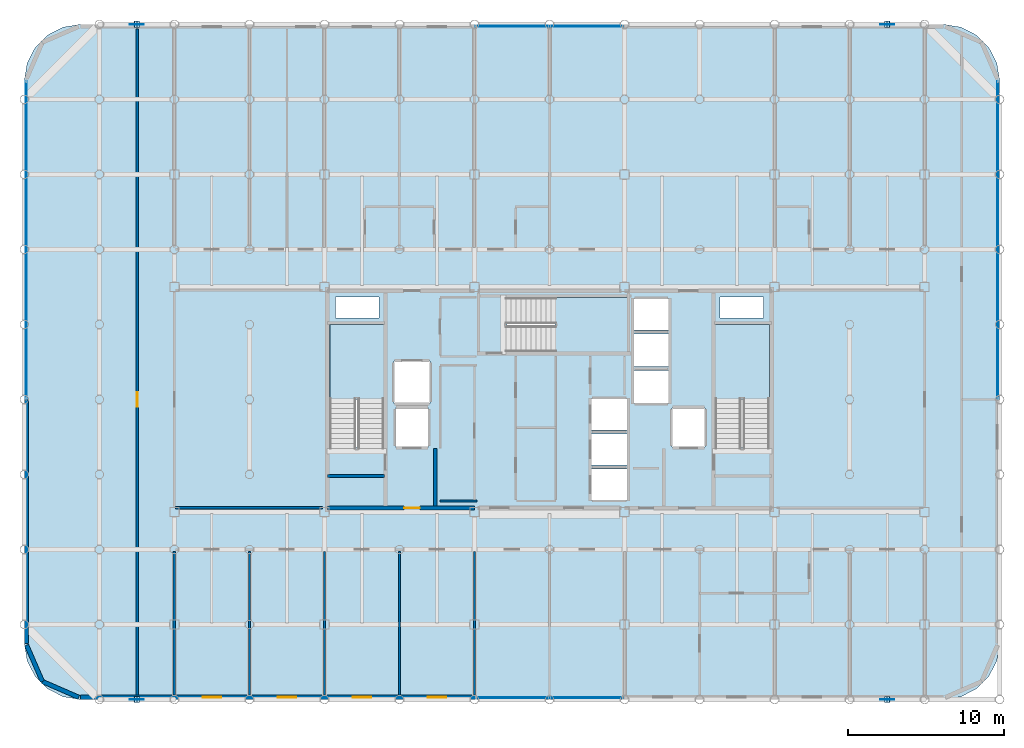
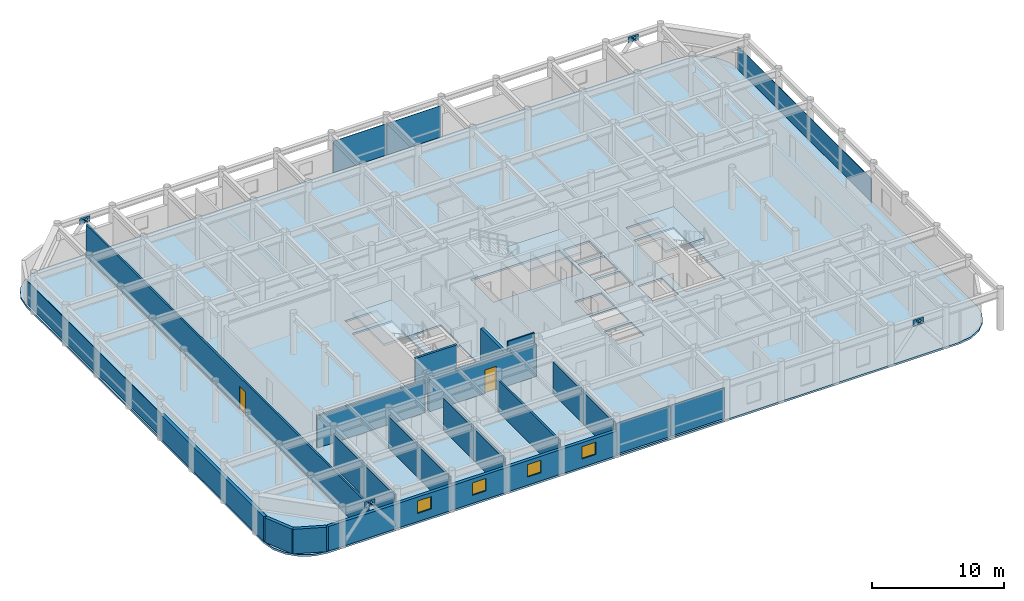
# One storey, part 17 of 22: 18 plates, 15 walls, 4 slabs, 4 windows, 2 doors, 6 openings, 7 elements without a shape of their own.
"""IFC4 building model written with IfcOpenShell, lengths in metres."""

from ifc_helpers import new_model, si_unit, direction, frame, frame_2d, origin, origin_2d, place, context, subcontext, project, spatial, polyline, rectangle, outline, extrude, material, layer, layer_set, type_object, element, fill, aggregate, save


model = new_model("IFC4")

# Units and contexts
model_context = context("Model", 3, precision=1e-05, world=origin(), true_north=direction((0.0, 1.0)))
body_context = subcontext(model_context, "Body", "Model", "MODEL_VIEW")
ifc_project = project(units=[si_unit("LENGTHUNIT", "METRE"), si_unit("AREAUNIT", "SQUARE_METRE"), si_unit("VOLUMEUNIT", "CUBIC_METRE"), si_unit("PLANEANGLEUNIT", "RADIAN"), si_unit("MASSUNIT", "GRAM", prefix="KILO")], contexts=[model_context])

# Site, building, storey
site_placement = place(None, origin())
site = spatial("IfcSite", under=ifc_project, at=site_placement, CompositionType="ELEMENT")
building_placement = place(site_placement, origin())
building = spatial("IfcBuilding", under=site, at=building_placement, Name="Kallvorn Hotel Tower", CompositionType="ELEMENT")
storey_placement = place(building_placement, frame((0.0, 0.0, 256.949951171875)))
storey = spatial("IfcBuildingStorey", under=building, at=storey_placement, Name="L64", CompositionType="ELEMENT", Elevation=256.949951171875)

# Curtain wall, plates
ifc_material_1 = material(Name="Thermally broken black-anodised aluminium AA 6063-T6", Category="aluminium")
ifc_layer_1 = layer(ifc_material_1, 0.22998046875)
ifc_layer_set_1 = layer_set([ifc_layer_1], Name="CW_SYS_5_HOTEL_HIGH")
curtain_wall_type = type_object("IfcCurtainWallType", Name="CW_SYS_5_HOTEL_HIGH", PredefinedType="USERDEFINED", material=ifc_layer_set_1)
curtain_wall_1_placement = place(storey_placement, origin())
curtain_wall_1 = element("IfcCurtainWall", 1, at=curtain_wall_1_placement, inside=storey, type_object=curtain_wall_type, Name="L64 Dark-Glass Curtain Wall CW-L64-SC", ObjectType="UNITISED CURTAIN WALL", PredefinedType="USERDEFINED")
ifc_material_2 = material(Name="Triple-glazed low-e acoustic solar-control dark glass", Category="glass")
ifc_layer_2 = layer(ifc_material_2, 0.04150390625)
ifc_layer_set_2 = layer_set([ifc_layer_2], Name="CW_SYS_5_HOTEL_HIGH_PANEL")
plate_type_1 = type_object("IfcPlateType", Name="CW_SYS_5_HOTEL_HIGH_PANEL", PredefinedType="CURTAIN_PANEL", material=ifc_layer_set_2)
plate_1_placement = place(storey_placement, frame((-2.375, -19.080078125, 0.06005859375), z_axis=(0.0, 0.0, 1.0), x_axis=(1.0, 0.0, 0.0)))
plate_1 = element("IfcPlate", 2, at=plate_1_placement, type_object=plate_type_1, Name="CW-L64-SC Vision Glass Panel 00", PredefinedType="CURTAIN_PANEL", context=body_context, shape_type="SweptSolid", body=[
    extrude(rectangle(XDim=4.68994140625, YDim=0.04150390625, at=origin_2d()), origin(), (0.0, 0.0, 1.0), 2.85009765625),
])
plate_2_placement = place(storey_placement, frame((2.375, -19.080078125, 0.06005859375), z_axis=(0.0, 0.0, 1.0), x_axis=(1.0, 0.0, 0.0)))
plate_2 = element("IfcPlate", 3, at=plate_2_placement, type_object=plate_type_1, Name="CW-L64-SC Vision Glass Panel 01", PredefinedType="CURTAIN_PANEL", context=body_context, shape_type="SweptSolid", body=[
    extrude(rectangle(XDim=4.68994140625, YDim=0.04150390625, at=origin_2d()), origin(), (0.0, 0.0, 1.0), 2.85009765625),
])
aggregate(curtain_wall_1, [plate_1, plate_2])

curtain_wall_2_placement = place(storey_placement, origin())
curtain_wall_2 = element("IfcCurtainWall", 4, at=curtain_wall_2_placement, inside=storey, type_object=curtain_wall_type, Name="L64 Dark-Glass Curtain Wall CW-L64-NC", ObjectType="UNITISED CURTAIN WALL", PredefinedType="USERDEFINED")
plate_3_placement = place(storey_placement, frame((-2.375, 23.8798828125, 0.06005859375), z_axis=(0.0, 0.0, 1.0), x_axis=(1.0, 0.0, 0.0)))
plate_3 = element("IfcPlate", 5, at=plate_3_placement, type_object=plate_type_1, Name="CW-L64-NC Vision Glass Panel 00", PredefinedType="CURTAIN_PANEL", context=body_context, shape_type="SweptSolid", body=[
    extrude(rectangle(XDim=4.68994140625, YDim=0.04150390625, at=origin_2d()), origin(), (0.0, 0.0, 1.0), 2.89990234375),
])
plate_4_placement = place(storey_placement, frame((2.375, 23.8798828125, 0.06005859375), z_axis=(0.0, 0.0, 1.0), x_axis=(1.0, 0.0, 0.0)))
plate_4 = element("IfcPlate", 6, at=plate_4_placement, type_object=plate_type_1, Name="CW-L64-NC Vision Glass Panel 01", PredefinedType="CURTAIN_PANEL", context=body_context, shape_type="SweptSolid", body=[
    extrude(rectangle(XDim=4.68994140625, YDim=0.04150390625, at=origin_2d()), origin(), (0.0, 0.0, 1.0), 2.89990234375),
])
aggregate(curtain_wall_2, [plate_3, plate_4])

# Curtain wall, plate
curtain_wall_3_placement = place(storey_placement, origin())
curtain_wall_3 = element("IfcCurtainWall", 7, at=curtain_wall_3_placement, inside=storey, type_object=curtain_wall_type, Name="L64 Dark-Glass Curtain Wall CW-L64-WN", ObjectType="UNITISED CURTAIN WALL", PredefinedType="USERDEFINED")
plate_5_placement = place(storey_placement, frame((-33.47998046875, 10.2099609375, 0.06005859375), z_axis=(0.0, 0.0, 1.0), x_axis=(0.0, 1.0, 0.0)))
plate_5 = element("IfcPlate", 8, at=plate_5_placement, type_object=plate_type_1, Name="CW-L64-WN Vision Glass Panel 00", PredefinedType="CURTAIN_PANEL", context=body_context, shape_type="SweptSolid", body=[
    extrude(rectangle(XDim=20.320068359375, YDim=0.04150390625, at=origin_2d()), origin(), (0.0, 0.0, 1.0), 2.14990234375),
])
aggregate(curtain_wall_3, [plate_5])

curtain_wall_4_placement = place(storey_placement, origin())
curtain_wall_4 = element("IfcCurtainWall", 9, at=curtain_wall_4_placement, inside=storey, type_object=curtain_wall_type, Name="L64 Dark-Glass Curtain Wall CW-L64-EN", ObjectType="UNITISED CURTAIN WALL", PredefinedType="USERDEFINED")
plate_6_placement = place(storey_placement, frame((28.679931640625, 10.2099609375, 0.06005859375), z_axis=(0.0, 0.0, 1.0), x_axis=(0.0, 1.0, 0.0)))
plate_6 = element("IfcPlate", 10, at=plate_6_placement, type_object=plate_type_1, Name="CW-L64-EN Vision Glass Panel 00", PredefinedType="CURTAIN_PANEL", context=body_context, shape_type="SweptSolid", body=[
    extrude(rectangle(XDim=20.320068359375, YDim=0.04150390625, at=origin_2d()), origin(), (0.0, 0.0, 1.0), 2.14990234375),
])
aggregate(curtain_wall_4, [plate_6])

# Plates
ifc_material_3 = material(Name="Structural steel S355JR", Category="steel")
ifc_layer_3 = layer(ifc_material_3, 0.030029296875)
ifc_layer_set_3 = layer_set([ifc_layer_3], Name="PLT_CAP_30")
plate_type_2 = type_object("IfcPlateType", Name="PLT_CAP_30", PredefinedType="SHEET", material=ifc_layer_set_3)
plate_7_placement = place(storey_placement, frame((-26.235595703125, -19.40185546875, 3.092529296875), z_axis=(0.621074629096, 0.0, 0.78375143068), x_axis=(0.0, 1.0, 0.0)))
element("IfcPlate", 11, at=plate_7_placement, inside=storey, type_object=plate_type_2, Name="EXO-L64-S1A End Cap Plate B", PredefinedType="SHEET", context=body_context, shape_type="SweptSolid", body=[
    extrude(outline(polyline([(0.0, 0.0), (0.40380859375, 0.0), (0.40380859375, 0.4037073970320156), (0.0, 0.4037073970320156), (0.0, 0.0)])), origin(), (0.0, 0.0, -1.0), 0.030029296875),
])
plate_8_placement = place(storey_placement, frame((-26.564453125, -18.998046875, 3.092529296875), z_axis=(-0.620780353498, 0.0, 0.783984536015), x_axis=(0.0, -1.0, 0.0)))
element("IfcPlate", 12, at=plate_8_placement, inside=storey, type_object=plate_type_2, Name="EXO-L64-S1B End Cap Plate B", PredefinedType="SHEET", context=body_context, shape_type="SweptSolid", body=[
    extrude(outline(polyline([(0.0, 0.0), (0.40380859375, 0.0), (0.40380859375, 0.40389877105813043), (0.0, 0.40389877105813043), (0.0, 0.0)])), origin(), (0.0, 0.0, -1.0), 0.030029296875),
])
plate_9_placement = place(storey_placement, frame((21.764404296875, -19.40185546875, 3.092529296875), z_axis=(0.621074629096, 0.0, 0.78375143068), x_axis=(0.0, 1.0, 0.0)))
element("IfcPlate", 13, at=plate_9_placement, inside=storey, type_object=plate_type_2, Name="EXO-L64-S2A End Cap Plate B", PredefinedType="SHEET", context=body_context, shape_type="SweptSolid", body=[
    extrude(outline(polyline([(0.0, 0.0), (0.40380859375, 0.0), (0.40380859375, 0.4037073970320156), (0.0, 0.4037073970320156), (0.0, 0.0)])), origin(), (0.0, 0.0, -1.0), 0.030029296875),
])
plate_10_placement = place(storey_placement, frame((21.435546875, -18.998046875, 3.092529296875), z_axis=(-0.620780353498, 0.0, 0.783984536015), x_axis=(0.0, -1.0, 0.0)))
element("IfcPlate", 14, at=plate_10_placement, inside=storey, type_object=plate_type_2, Name="EXO-L64-S2B End Cap Plate B", PredefinedType="SHEET", context=body_context, shape_type="SweptSolid", body=[
    extrude(outline(polyline([(0.0, 0.0), (0.40380859375, 0.0), (0.40380859375, 0.40389877105813043), (0.0, 0.40389877105813043), (0.0, 0.0)])), origin(), (0.0, 0.0, -1.0), 0.030029296875),
])
plate_11_placement = place(storey_placement, frame((-26.235595703125, 23.798095703125, 3.092529296875), z_axis=(0.621074629096, 0.0, 0.78375143068), x_axis=(0.0, 1.0, 0.0)))
element("IfcPlate", 15, at=plate_11_placement, inside=storey, type_object=plate_type_2, Name="EXO-L64-N1A End Cap Plate B", PredefinedType="SHEET", context=body_context, shape_type="SweptSolid", body=[
    extrude(outline(polyline([(0.0, 0.0), (0.40380859375, 0.0), (0.40380859375, 0.4037073970320156), (0.0, 0.4037073970320156), (0.0, 0.0)])), origin(), (0.0, 0.0, -1.0), 0.030029296875),
])
plate_12_placement = place(storey_placement, frame((-26.564453125, 24.201904296875, 3.092529296875), z_axis=(-0.620780353498, 0.0, 0.783984536015), x_axis=(0.0, -1.0, 0.0)))
element("IfcPlate", 16, at=plate_12_placement, inside=storey, type_object=plate_type_2, Name="EXO-L64-N1B End Cap Plate B", PredefinedType="SHEET", context=body_context, shape_type="SweptSolid", body=[
    extrude(outline(polyline([(0.0, 0.0), (0.40380859375, 0.0), (0.40380859375, 0.40389877105813043), (0.0, 0.40389877105813043), (0.0, 0.0)])), origin(), (0.0, 0.0, -1.0), 0.030029296875),
])
plate_13_placement = place(storey_placement, frame((21.764404296875, 23.798095703125, 3.092529296875), z_axis=(0.621074629096, 0.0, 0.78375143068), x_axis=(0.0, 1.0, 0.0)))
element("IfcPlate", 17, at=plate_13_placement, inside=storey, type_object=plate_type_2, Name="EXO-L64-N2A End Cap Plate B", PredefinedType="SHEET", context=body_context, shape_type="SweptSolid", body=[
    extrude(outline(polyline([(0.0, 0.0), (0.40380859375, 0.0), (0.40380859375, 0.4037073970320156), (0.0, 0.4037073970320156), (0.0, 0.0)])), origin(), (0.0, 0.0, -1.0), 0.030029296875),
])
plate_14_placement = place(storey_placement, frame((21.435546875, 24.201904296875, 3.092529296875), z_axis=(-0.620780353498, 0.0, 0.783984536015), x_axis=(0.0, -1.0, 0.0)))
element("IfcPlate", 18, at=plate_14_placement, inside=storey, type_object=plate_type_2, Name="EXO-L64-N2B End Cap Plate B", PredefinedType="SHEET", context=body_context, shape_type="SweptSolid", body=[
    extrude(outline(polyline([(0.0, 0.0), (0.40380859375, 0.0), (0.40380859375, 0.40389877105813043), (0.0, 0.40389877105813043), (0.0, 0.0)])), origin(), (0.0, 0.0, -1.0), 0.030029296875),
])
ifc_material_4 = material(Name="Structural steel S355JR", Category="steel")
ifc_layer_4 = layer(ifc_material_4, 0.034912109375)
ifc_layer_set_4 = layer_set([ifc_layer_4], Name="PLT_GUSSET_35")
plate_type_3 = type_object("IfcPlateType", Name="PLT_GUSSET_35", PredefinedType="USERDEFINED", material=ifc_layer_set_4)
for number, where, z_axis, x_axis, name in (
    (19, (-26.39990234375, -19.199951171875, 2.89013671875), (0.0, 0.0, 1.0), (1.0, 0.0, 0.0), "L64 Exoskeleton Node Gusset S1"),
    (20, (21.60009765625, -19.199951171875, 2.89013671875), (0.0, 0.0, 1.0), (1.0, 0.0, 0.0), "L64 Exoskeleton Node Gusset S2"),
    (21, (-26.39990234375, 24.0, 2.89013671875), (0.0, 0.0, 1.0), (1.0, 0.0, 0.0), "L64 Exoskeleton Node Gusset N1"),
    (22, (21.60009765625, 24.0, 2.89013671875), (0.0, 0.0, 1.0), (1.0, 0.0, 0.0), "L64 Exoskeleton Node Gusset N2"),
):
    element("IfcPlate", number, at=place(storey_placement, frame(where, z_axis=z_axis, x_axis=x_axis)), inside=storey, type_object=plate_type_3, Name=name, ObjectType="GUSSET PLATE", PredefinedType="USERDEFINED", context=body_context, shape_type="SweptSolid", body=[
        extrude(rectangle(XDim=0.89990234375, YDim=0.034912109375, at=origin_2d()), origin(), (0.0, 0.0, 1.0), 0.56005859375),
    ])

# Stair, slab
ifc_material_5 = material(Name="Precast concrete C40/50", Category="concrete")
stair_type = type_object("IfcStairType", Name="STR_CORE_DOGLEG", PredefinedType="HALF_TURN_STAIR", material=ifc_material_5)
stair_1_placement = place(storey_placement, origin())
stair_1 = element("IfcStair", 23, at=stair_1_placement, inside=storey, type_object=stair_type, Name="L64 Exit stair ST1", PredefinedType="HALF_TURN_STAIR")
ifc_material_6 = material(Name="Precast concrete C40/50", Category="concrete")
ifc_layer_5 = layer(ifc_material_6, 0.179931640625)
ifc_layer_set_5 = layer_set([ifc_layer_5], Name="SLB_LANDING_180")
slab_type_1 = type_object("IfcSlabType", Name="SLB_LANDING_180", PredefinedType="LANDING", material=ifc_layer_set_5)
slab_1_placement = place(storey_placement, frame((0.0, 0.0, 1.72509765625)))
slab_1 = element("IfcSlab", 24, at=slab_1_placement, type_object=slab_type_1, Name="ST1 landing 1", PredefinedType="LANDING", context=body_context, shape_type="SweptSolid", body=[
    extrude(outline(polyline([(-10.60009765625, 0.010009765625), (-10.60009765625, 4.800048828125), (-14.06005859375, 4.800048828125), (-14.06005859375, 0.010009765625), (-10.60009765625, 0.010009765625)])), origin(), (0.0, 0.0, 1.0), 0.199951171875),
])
aggregate(stair_1, [slab_1])

stair_2_placement = place(storey_placement, origin())
stair_2 = element("IfcStair", 25, at=stair_2_placement, inside=storey, type_object=stair_type, Name="L64 Exit stair ST2", PredefinedType="HALF_TURN_STAIR")
slab_2_placement = place(storey_placement, frame((0.0, 0.0, 1.72509765625)))
slab_2 = element("IfcSlab", 26, at=slab_2_placement, type_object=slab_type_1, Name="ST2 landing 1", PredefinedType="LANDING", context=body_context, shape_type="SweptSolid", body=[
    extrude(outline(polyline([(14.06005859375, 0.010009765625), (14.06005859375, 4.800048828125), (10.60009765625, 4.800048828125), (10.60009765625, 0.010009765625), (14.06005859375, 0.010009765625)])), origin(), (0.0, 0.0, 1.0), 0.199951171875),
])
aggregate(stair_2, [slab_2])

stair_3_placement = place(storey_placement, origin())
stair_3 = element("IfcStair", 27, at=stair_3_placement, inside=storey, type_object=stair_type, Name="L64 Exit stair ST3", PredefinedType="HALF_TURN_STAIR")
slab_3_placement = place(storey_placement, frame((0.0, 0.0, 1.72509765625)))
slab_3 = element("IfcSlab", 28, at=slab_3_placement, type_object=slab_type_1, Name="ST3 landing 1", PredefinedType="LANDING", context=body_context, shape_type="SweptSolid", body=[
    extrude(outline(polyline([(0.360107421875, 3.050048828125), (5.050048828125, 3.050048828125), (5.050048828125, 6.510009765625), (0.360107421875, 6.510009765625), (0.360107421875, 3.050048828125)])), origin(), (0.0, 0.0, 1.0), 0.199951171875),
])
aggregate(stair_3, [slab_3])

# Slab
ifc_material_7 = material(Name="Concrete C40/50", Category="concrete")
ifc_layer_6 = layer(ifc_material_7, 0.179931640625)
ifc_layer_set_6 = layer_set([ifc_layer_6], Name="SLB_TOWER_180")
slab_type_2 = type_object("IfcSlabType", Name="SLB_TOWER_180", PredefinedType="FLOOR", material=ifc_layer_set_6)
slab_4_placement = place(storey_placement, frame((0.0, 0.0, -0.179931640625)))
element("IfcSlab", 29, at=slab_4_placement, inside=storey, type_object=slab_type_2, Name="L64 Structural Floor Slab", PredefinedType="FLOOR", context=body_context, shape_type="SweptSolid", body=[
    extrude(outline(polyline([(25.199951171875, -19.199951171875), (26.3125, -19.023681640625), (27.31591796875, -18.512451171875), (28.112548828125, -17.716064453125), (28.623779296875, -16.71240234375), (28.800048828125, -15.60009765625), (28.800048828125, 20.39990234375), (28.623779296875, 21.512451171875), (28.112548828125, 22.51611328125), (27.31591796875, 23.3125), (26.3125, 23.82373046875), (25.199951171875, 24.0), (-30.0, 24.0), (-31.112548828125, 23.82373046875), (-32.115966796875, 23.3125), (-32.91259765625, 22.51611328125), (-33.423828125, 21.512451171875), (-33.60009765625, 20.39990234375), (-33.60009765625, -15.60009765625), (-33.423828125, -16.71240234375), (-32.91259765625, -17.716064453125), (-32.115966796875, -18.512451171875), (-31.112548828125, -19.023681640625), (-30.0, -19.199951171875), (25.199951171875, -19.199951171875)]), holes=[polyline([(-10.60009765625, -3.070068359375), (-10.60009765625, 4.800048828125), (-14.06005859375, 4.800048828125), (-14.06005859375, -3.070068359375), (-10.60009765625, -3.070068359375)]), polyline([(14.06005859375, -3.070068359375), (14.06005859375, 4.800048828125), (10.60009765625, 4.800048828125), (10.60009765625, -3.070068359375), (14.06005859375, -3.070068359375)]), polyline([(-2.719970703125, 3.050048828125), (5.050048828125, 3.050048828125), (5.050048828125, 6.510009765625), (-2.719970703125, 6.510009765625), (-2.719970703125, 3.050048828125)]), polyline([(2.64990234375, -6.449951171875), (5.0, -6.449951171875), (5.0, -4.449951171875), (2.64990234375, -4.449951171875), (2.64990234375, -6.449951171875)]), polyline([(2.64990234375, -4.199951171875), (5.0, -4.199951171875), (5.0, -2.199951171875), (2.64990234375, -2.199951171875), (2.64990234375, -4.199951171875)]), polyline([(2.64990234375, -1.949951171875), (5.0, -1.949951171875), (5.0, 0.050048828125), (2.64990234375, 0.050048828125), (2.64990234375, -1.949951171875)]), polyline([(5.35009765625, -0.25), (7.64990234375, -0.25), (7.64990234375, 1.85009765625), (5.35009765625, 1.85009765625), (5.35009765625, -0.25)]), polyline([(5.35009765625, 2.10009765625), (7.64990234375, 2.10009765625), (7.64990234375, 4.199951171875), (5.35009765625, 4.199951171875), (5.35009765625, 2.10009765625)]), polyline([(5.35009765625, 4.449951171875), (7.64990234375, 4.449951171875), (7.64990234375, 6.449951171875), (5.35009765625, 6.449951171875), (5.35009765625, 4.449951171875)]), polyline([(-9.85009765625, -3.050048828125), (-7.75, -3.050048828125), (-7.75, -0.550048828125), (-9.85009765625, -0.550048828125), (-9.85009765625, -3.050048828125)]), polyline([(7.85009765625, -3.050048828125), (9.949951171875, -3.050048828125), (9.949951171875, -0.550048828125), (7.85009765625, -0.550048828125), (7.85009765625, -3.050048828125)]), polyline([(-9.949951171875, -0.25), (-7.64990234375, -0.25), (-7.64990234375, 2.449951171875), (-9.949951171875, 2.449951171875), (-9.949951171875, -0.25)]), polyline([(-13.699951171875, 5.199951171875), (-10.89990234375, 5.199951171875), (-10.89990234375, 6.550048828125), (-13.699951171875, 6.550048828125), (-13.699951171875, 5.199951171875)]), polyline([(10.89990234375, 5.199951171875), (13.699951171875, 5.199951171875), (13.699951171875, 6.550048828125), (10.89990234375, 6.550048828125), (10.89990234375, 5.199951171875)])]), origin(), (0.0, 0.0, 1.0), 0.179931640625),
])

# Walls
ifc_material_8 = material(Name="Precast basalt-clad insulated concrete wall C40/50", Category="masonry")
ifc_layer_7 = layer(ifc_material_8, 0.280029296875)
ifc_layer_set_7 = layer_set([ifc_layer_7], Name="WL_EXT_LOGGIA_280")
wall_type_1 = type_object("IfcWallType", Name="WL_EXT_LOGGIA_280", PredefinedType="SOLIDWALL", material=ifc_layer_set_7)
wall_1_placement = place(storey_placement, frame((-33.4580078125, -15.720703125, 0.0), z_axis=(0.0, 0.0, 1.0), x_axis=(0.398792985289, -0.917040977756, 0.0)))
element("IfcWall", 30, at=wall_1_placement, inside=storey, type_object=wall_type_1, Name="L64 Rounded Corner Exterior Wall SW1", PredefinedType="SOLIDWALL", context=body_context, shape_type="SweptSolid", body=[
    extrude(rectangle(XDim=2.536376953125, YDim=0.280029296875, at=frame_2d((1.26806640625, 0.0))), origin(), (0.0, 0.0, 1.0), 2.27001953125),
])
wall_2_placement = place(storey_placement, frame((-32.446533203125, -18.046630859375, 0.0), z_axis=(0.0, 0.0, 1.0), x_axis=(0.917060872934, -0.398747232384, 0.0)))
element("IfcWall", 31, at=wall_2_placement, inside=storey, type_object=wall_type_1, Name="L64 Rounded Corner Exterior Wall SW2", PredefinedType="SOLIDWALL", context=body_context, shape_type="SweptSolid", body=[
    extrude(rectangle(XDim=2.5361328125, YDim=0.280029296875, at=frame_2d((1.26806640625, 0.0))), origin(), (0.0, 0.0, 1.0), 2.27001953125),
])

# Wall, openings, windows
wall_3_placement = place(storey_placement, frame((-30.0, -19.06005859375, 0.0), z_axis=(0.0, 0.0, 1.0), x_axis=(1.0, 0.0, 0.0)))
wall_3 = element("IfcWall", 32, at=wall_3_placement, inside=storey, type_object=wall_type_1, Name="L64 Exterior Envelope Wall EW-L64-SW", PredefinedType="SOLIDWALL", context=body_context, shape_type="SweptSolid", body=[
    extrude(rectangle(XDim=25.25, YDim=0.280029296875, at=frame_2d((12.625, 0.0))), origin(), (0.0, 0.0, 1.0), 2.27001953125),
])
opening_1_placement = place(wall_3_placement, frame((7.800048828125, 0.0, 0.75)))
opening_1 = element("IfcOpeningElement", 33, at=opening_1_placement, cuts=wall_3, Name="Opening W06A", PredefinedType="OPENING", context=body_context, shape_type="SweptSolid", body=[
    extrude(rectangle(XDim=1.199951171875, YDim=1.14990234375, at=frame_2d((0.60009765625, 0.574951171875))), frame((0.0, 0.155029296875, 0.0), z_axis=(0.0, -1.0, 0.0), x_axis=(1.0, 0.0, 0.0)), (0.0, 0.0, 1.0), 0.31005859375),
])
opening_2_placement = place(wall_3_placement, frame((12.60009765625, 0.0, 0.75)))
opening_2 = element("IfcOpeningElement", 34, at=opening_2_placement, cuts=wall_3, Name="Opening W06A", PredefinedType="OPENING", context=body_context, shape_type="SweptSolid", body=[
    extrude(rectangle(XDim=1.199951171875, YDim=1.14990234375, at=frame_2d((0.60009765625, 0.574951171875))), frame((0.0, 0.155029296875, 0.0), z_axis=(0.0, -1.0, 0.0), x_axis=(1.0, 0.0, 0.0)), (0.0, 0.0, 1.0), 0.31005859375),
])
opening_3_placement = place(wall_3_placement, frame((17.39990234375, 0.0, 0.75)))
opening_3 = element("IfcOpeningElement", 35, at=opening_3_placement, cuts=wall_3, Name="Opening W06A", PredefinedType="OPENING", context=body_context, shape_type="SweptSolid", body=[
    extrude(rectangle(XDim=1.199951171875, YDim=1.14990234375, at=frame_2d((0.60009765625, 0.574951171875))), frame((0.0, 0.155029296875, 0.0), z_axis=(0.0, -1.0, 0.0), x_axis=(1.0, 0.0, 0.0)), (0.0, 0.0, 1.0), 0.31005859375),
])
opening_4_placement = place(wall_3_placement, frame((22.199951171875, 0.0, 0.75)))
opening_4 = element("IfcOpeningElement", 36, at=opening_4_placement, cuts=wall_3, Name="Opening W06A", PredefinedType="OPENING", context=body_context, shape_type="SweptSolid", body=[
    extrude(rectangle(XDim=1.199951171875, YDim=1.14990234375, at=frame_2d((0.60009765625, 0.574951171875))), frame((0.0, 0.155029296875, 0.0), z_axis=(0.0, -1.0, 0.0), x_axis=(1.0, 0.0, 0.0)), (0.0, 0.0, 1.0), 0.31005859375),
])
ifc_material_9 = material(Name="Triple-glazed low-e acoustic solar-control dark glass", Category="glass")
window_type = type_object("IfcWindowType", Name="WN_HTL_1200x1150", PartitioningType="SINGLE_PANEL", PredefinedType="WINDOW", material=ifc_material_9)
window_1_placement = place(opening_1_placement, origin())
window_1 = element("IfcWindow", 37, at=window_1_placement, inside=storey, type_object=window_type, Name="L64 Guestroom Exterior Window 01", OverallHeight=1.14990234375, OverallWidth=1.199951171875, PartitioningType="SINGLE_PANEL", PredefinedType="WINDOW", context=body_context, shape_type="SweptSolid", body=[
    extrude(rectangle(XDim=1.199951171875, YDim=1.14990234375, at=frame_2d((0.60009765625, 0.574951171875))), frame((0.0, 0.030029296875, 0.0), z_axis=(0.0, -1.0, 0.0), x_axis=(1.0, 0.0, 0.0)), (0.0, 0.0, 1.0), 0.06005859375),
])
fill(opening_1, window_1)
window_2_placement = place(opening_2_placement, origin())
window_2 = element("IfcWindow", 38, at=window_2_placement, inside=storey, type_object=window_type, Name="L64 Guestroom Exterior Window 04", OverallHeight=1.14990234375, OverallWidth=1.199951171875, PartitioningType="SINGLE_PANEL", PredefinedType="WINDOW", context=body_context, shape_type="SweptSolid", body=[
    extrude(rectangle(XDim=1.199951171875, YDim=1.14990234375, at=frame_2d((0.60009765625, 0.574951171875))), frame((0.0, 0.030029296875, 0.0), z_axis=(0.0, -1.0, 0.0), x_axis=(1.0, 0.0, 0.0)), (0.0, 0.0, 1.0), 0.06005859375),
])
fill(opening_2, window_2)
window_3_placement = place(opening_3_placement, origin())
window_3 = element("IfcWindow", 39, at=window_3_placement, inside=storey, type_object=window_type, Name="L64 Guestroom Exterior Window 05", OverallHeight=1.14990234375, OverallWidth=1.199951171875, PartitioningType="SINGLE_PANEL", PredefinedType="WINDOW", context=body_context, shape_type="SweptSolid", body=[
    extrude(rectangle(XDim=1.199951171875, YDim=1.14990234375, at=frame_2d((0.60009765625, 0.574951171875))), frame((0.0, 0.030029296875, 0.0), z_axis=(0.0, -1.0, 0.0), x_axis=(1.0, 0.0, 0.0)), (0.0, 0.0, 1.0), 0.06005859375),
])
fill(opening_3, window_3)
window_4_placement = place(opening_4_placement, origin())
window_4 = element("IfcWindow", 40, at=window_4_placement, inside=storey, type_object=window_type, Name="L64 Guestroom Exterior Window 06", OverallHeight=1.14990234375, OverallWidth=1.199951171875, PartitioningType="SINGLE_PANEL", PredefinedType="WINDOW", context=body_context, shape_type="SweptSolid", body=[
    extrude(rectangle(XDim=1.199951171875, YDim=1.14990234375, at=frame_2d((0.60009765625, 0.574951171875))), frame((0.0, 0.030029296875, 0.0), z_axis=(0.0, -1.0, 0.0), x_axis=(1.0, 0.0, 0.0)), (0.0, 0.0, 1.0), 0.06005859375),
])
fill(opening_4, window_4)

# Walls
wall_4_placement = place(storey_placement, frame((-33.4599609375, -15.60009765625, 0.0), z_axis=(0.0, 0.0, 1.0), x_axis=(0.0, 1.0, 0.0)))
element("IfcWall", 41, at=wall_4_placement, inside=storey, type_object=wall_type_1, Name="L64 Exterior Envelope Wall EW-L64-WS", PredefinedType="SOLIDWALL", context=body_context, shape_type="SweptSolid", body=[
    extrude(rectangle(XDim=15.580078125, YDim=0.280029296875, at=frame_2d((7.7900390625, 0.0))), origin(), (0.0, 0.0, 1.0), 2.27001953125),
])
ifc_material_10 = material(Name="Concrete C40/50", Category="concrete")
ifc_layer_8 = layer(ifc_material_10, 0.219970703125)
ifc_layer_set_8 = layer_set([ifc_layer_8], Name="WL_FFL_220")
wall_type_2 = type_object("IfcWallType", Name="WL_FFL_220", PredefinedType="SOLIDWALL", material=ifc_layer_set_8)
wall_5_placement = place(storey_placement, frame((-7.300048828125, -6.820068359375, 0.0), z_axis=(0.0, 0.0, 1.0), x_axis=(0.0, 1.0, 0.0)))
element("IfcWall", 42, at=wall_5_placement, inside=storey, type_object=wall_type_2, Name="L64 Firefighting Lobby West Divider Wall", PredefinedType="SOLIDWALL", context=body_context, shape_type="SweptSolid", body=[
    extrude(rectangle(XDim=3.670166015625, YDim=0.219970703125, at=frame_2d((1.8349609375, 0.0))), origin(), (0.0, 0.0, 1.0), 2.969970703125),
])
ifc_material_11 = material(Name="Concrete C40/50", Category="concrete")
ifc_layer_9 = layer(ifc_material_11, 0.199951171875)
ifc_layer_set_9 = layer_set([ifc_layer_9], Name="WL_HOIST_200")
wall_type_3 = type_object("IfcWallType", Name="WL_HOIST_200", PredefinedType="SOLIDWALL", material=ifc_layer_set_9)
wall_6_placement = place(storey_placement, frame((-14.199951171875, -4.89990234375, -0.179931640625), z_axis=(0.0, 0.0, 1.0), x_axis=(1.0, 0.0, 0.0)))
element("IfcWall", 43, at=wall_6_placement, inside=storey, type_object=wall_type_3, Name="L64 Stair ST1 South Wall", PredefinedType="SOLIDWALL", context=body_context, shape_type="SweptSolid", body=[
    extrude(rectangle(XDim=3.64990234375, YDim=0.199951171875, at=frame_2d((1.824951171875, 0.0))), origin(), (0.0, 0.0, 1.0), 3.85009765625),
])
ifc_material_12 = material(Name="Fire-rated double-layer acoustic gypsum drywall EI 60")
ifc_layer_10 = layer(ifc_material_12, 0.1201171875)
ifc_layer_set_10 = layer_set([ifc_layer_10], Name="WL_INT_120")
wall_type_4 = type_object("IfcWallType", Name="WL_INT_120", PredefinedType="PARTITIONING", material=ifc_layer_set_10)
wall_7_placement = place(storey_placement, frame((-7.0, -6.5, 0.0), z_axis=(0.0, 0.0, 1.0), x_axis=(1.0, 0.0, 0.0)))
element("IfcWall", 44, at=wall_7_placement, inside=storey, type_object=wall_type_4, Name="L64 Recaptured Butler and Room-Service Pantry Partition", PredefinedType="PARTITIONING", context=body_context, shape_type="SweptSolid", body=[
    extrude(rectangle(XDim=2.35009765625, YDim=0.1201171875, at=frame_2d((1.175048828125, 0.0))), origin(), (0.0, 0.0, 1.0), 3.670166015625),
])
ifc_material_13 = material(Name="Fire-rated double-layer acoustic gypsum drywall EI 60")
ifc_layer_11 = layer(ifc_material_13, 0.14990234375)
ifc_layer_set_11 = layer_set([ifc_layer_11], Name="WL_PART_150")
wall_type_5 = type_object("IfcWallType", Name="WL_PART_150", PredefinedType="PARTITIONING", material=ifc_layer_set_11)
wall_8_placement = place(storey_placement, frame((-23.919921875, -6.919921875, 0.0), z_axis=(0.0, 0.0, 1.0), x_axis=(1.0, 0.0, 0.0)))
element("IfcWall", 45, at=wall_8_placement, inside=storey, type_object=wall_type_5, Name="L64 L64 High-Zone Inner West Club Bar Partition", PredefinedType="PARTITIONING", context=body_context, shape_type="SweptSolid", body=[
    extrude(rectangle(XDim=9.39990234375, YDim=0.14990234375, at=frame_2d((4.699951171875, 0.0))), origin(), (0.0, 0.0, 1.0), 2.969970703125),
])

# Wall, opening, door
wall_9_placement = place(storey_placement, frame((-26.3798828125, -18.909912109375, 0.0), z_axis=(0.0, 0.0, 1.0), x_axis=(0.0, 1.0, 0.0)))
wall_9 = element("IfcWall", 46, at=wall_9_placement, inside=storey, type_object=wall_type_5, Name="L64 L64 Outer West Sky Observatory Salon Partition", PredefinedType="PARTITIONING", context=body_context, shape_type="SweptSolid", body=[
    extrude(rectangle(XDim=42.619873046875, YDim=0.14990234375, at=frame_2d((21.31005859375, 0.0))), origin(), (0.0, 0.0, 1.0), 2.969970703125),
])
opening_5_placement = place(wall_9_placement, frame((18.4599609375, 0.0, 0.0)))
opening_5 = element("IfcOpeningElement", 47, at=opening_5_placement, cuts=wall_9, Name="Opening SVD1", PredefinedType="OPENING", context=body_context, shape_type="SweptSolid", body=[
    extrude(rectangle(XDim=0.89990234375, YDim=2.10009765625, at=frame_2d((0.449951171875, 1.050048828125))), frame((0.0, 0.08984375, 0.0), z_axis=(0.0, -1.0, 0.0), x_axis=(1.0, 0.0, 0.0)), (0.0, 0.0, 1.0), 0.179931640625),
])
ifc_material_14 = material(Name="Galvanised painted steel fire-rated door assembly", Category="steel")
door_type_1 = type_object("IfcDoorType", Name="DR_SERV_900x2100", OperationType="NOTDEFINED", PredefinedType="DOOR", material=ifc_material_14)
door_1_placement = place(opening_5_placement, origin())
door_1 = element("IfcDoor", 48, at=door_1_placement, inside=storey, type_object=door_type_1, Name="L64 L64 Outer West Sky Observatory Salon Door", OperationType="SINGLE_SWING_LEFT", OverallHeight=2.10009765625, OverallWidth=0.89990234375, PredefinedType="DOOR", context=body_context, shape_type="SweptSolid", body=[
    extrude(rectangle(XDim=0.89990234375, YDim=2.10009765625, at=frame_2d((0.449951171875, 1.050048828125))), frame((0.0, 0.02490234375, 0.0), z_axis=(0.0, -1.0, 0.0), x_axis=(1.0, 0.0, 0.0)), (0.0, 0.0, 1.0), 0.050048828125),
])
fill(opening_5, door_1)

# Walls
for number, where, z_axis, x_axis, name in (
    (49, (-24.0, -18.909912109375, 0.0), (0.0, 0.0, 1.0), (0.0, 1.0, 0.0), "L64 L64 High-Zone South-West Tea Bar Partition"),
    (50, (-19.199951171875, -18.909912109375, 0.0), (0.0, 0.0, 1.0), (0.0, 1.0, 0.0), "L64 L64 Executive Co-Working Open-Plan Office 1-1 Partition"),
    (51, (-14.39990234375, -18.909912109375, 0.0), (0.0, 0.0, 1.0), (0.0, 1.0, 0.0), "L64 L64 Executive Co-Working Open-Plan Office 1-1 Partition"),
    (52, (-9.60009765625, -18.909912109375, 0.0), (0.0, 0.0, 1.0), (0.0, 1.0, 0.0), "L64 L64 Executive Co-Working Open-Plan Office 1-2 Partition"),
    (53, (-4.800048828125, -18.909912109375, 0.0), (0.0, 0.0, 1.0), (0.0, 1.0, 0.0), "L64 L64 Diplomatic Summit Conference Boardroom 2-1 Partition"),
):
    element("IfcWall", number, at=place(storey_placement, frame(where, z_axis=z_axis, x_axis=x_axis)), inside=storey, type_object=wall_type_5, Name=name, PredefinedType="PARTITIONING", context=body_context, shape_type="SweptSolid", body=[
        extrude(rectangle(XDim=9.18994140625, YDim=0.14990234375, at=frame_2d((4.594970703125, 0.0))), origin(), (0.0, 0.0, 1.0), 2.969970703125),
    ])

# Wall, opening, door
ifc_material_15 = material(Name="Concrete C40/50", Category="concrete")
ifc_layer_12 = layer(ifc_material_15, 0.25)
ifc_layer_set_12 = layer_set([ifc_layer_12], Name="WL_SHAFT_250")
wall_type_6 = type_object("IfcWallType", Name="WL_SHAFT_250", PredefinedType="SOLIDWALL", material=ifc_layer_set_12)
wall_10_placement = place(storey_placement, frame((-14.199951171875, -6.949951171875, 0.0), z_axis=(0.0, 0.0, 1.0), x_axis=(1.0, 0.0, 0.0)))
wall_10 = element("IfcWall", 54, at=wall_10_placement, inside=storey, type_object=wall_type_6, Name="L64 Core South-West Wall", PredefinedType="SOLIDWALL", context=body_context, shape_type="SweptSolid", body=[
    extrude(rectangle(XDim=9.39990234375, YDim=0.25, at=frame_2d((4.699951171875, 0.0))), origin(), (0.0, 0.0, 1.0), 2.969970703125),
])
opening_6_placement = place(wall_10_placement, frame((4.89990234375, 0.0, 0.0)))
opening_6 = element("IfcOpeningElement", 55, at=opening_6_placement, cuts=wall_10, Name="Opening FD1", PredefinedType="OPENING", context=body_context, shape_type="SweptSolid", body=[
    extrude(rectangle(XDim=1.0, YDim=2.14990234375, at=frame_2d((0.5, 1.074951171875))), frame((0.0, 0.139892578125, 0.0), z_axis=(0.0, -1.0, 0.0), x_axis=(1.0, 0.0, 0.0)), (0.0, 0.0, 1.0), 0.280029296875),
])
ifc_material_16 = material(Name="Galvanised painted steel fire-rated door assembly", Category="steel")
door_type_2 = type_object("IfcDoorType", Name="DR_FFL_1000x2150", OperationType="NOTDEFINED", PredefinedType="DOOR", material=ifc_material_16)
door_2_placement = place(opening_6_placement, origin())
door_2 = element("IfcDoor", 56, at=door_2_placement, inside=storey, type_object=door_type_2, Name="L64 Firefighting Lobby West Door", OperationType="SINGLE_SWING_LEFT", OverallHeight=2.14990234375, OverallWidth=1.0, PredefinedType="DOOR", context=body_context, shape_type="SweptSolid", body=[
    extrude(rectangle(XDim=1.0, YDim=2.14990234375, at=frame_2d((0.5, 1.074951171875))), frame((0.0, 0.02490234375, 0.0), z_axis=(0.0, -1.0, 0.0), x_axis=(1.0, 0.0, 0.0)), (0.0, 0.0, 1.0), 0.050048828125),
])
fill(opening_6, door_2)

save(model, "model.ifc")
